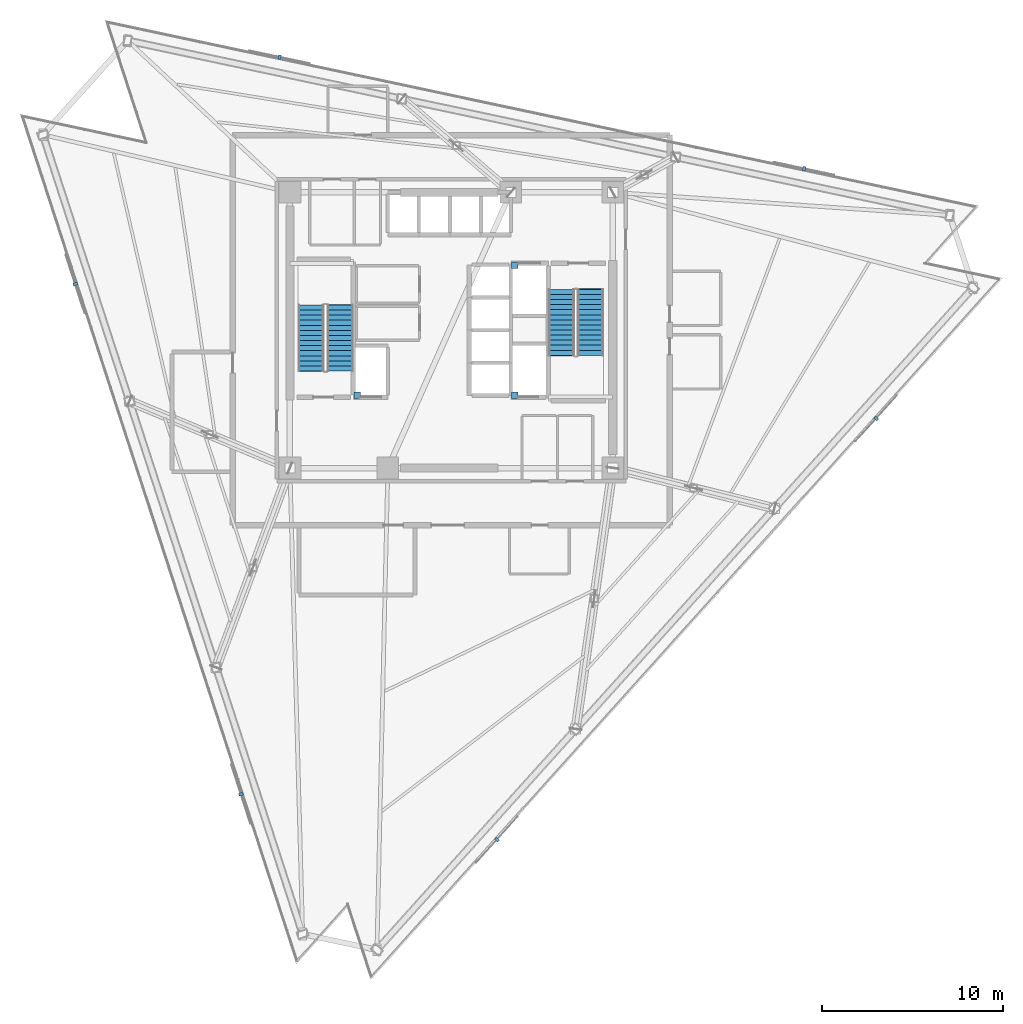
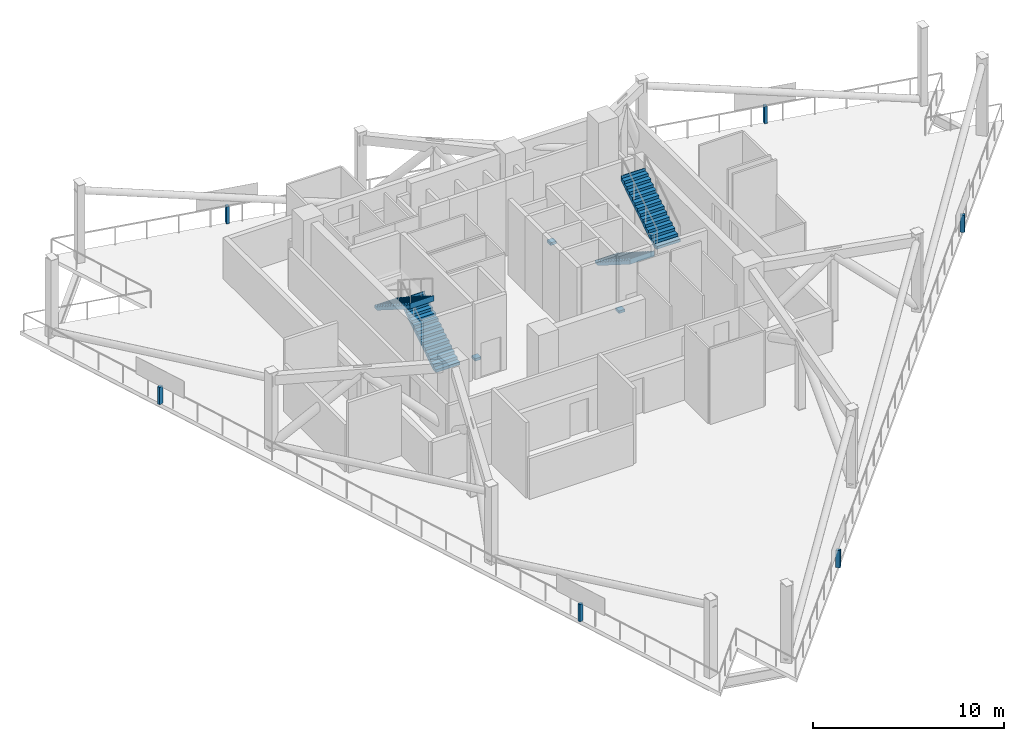
# One storey, part 9 of 15: 9 discrete accessories, 4 stair flights, 2 elements without a shape of their own.
"""IFC4 building model written with IfcOpenShell, lengths in metres."""

import ifcopenshell
import ifcopenshell.guid

model = None  # the IFC model being written
_history = None  # IfcOwnerHistory: only IFC2X3 demands one
_inside = {}  # id of a spatial element -> (the spatial element, [elements in it])
_under = {}  # id of a project, library or spatial element -> (it, [spatial elements below it])
_declared = {}  # id of a project -> (the project, [libraries it declares])
_typed = {}  # id of a type object -> (the type object, [elements of that type])
_made_of = {}  # id of a material, layer set ... -> (it, [elements and type objects made of it])


def new_model(schema):
    """Start an empty IFC model of exactly this schema.

    Asked for "IFC4X3", IfcOpenShell would pick the latest addendum, in which some entities
    have other attributes; the version numbers below select the first issue.
    IFC2X3 requires an IfcOwnerHistory on every rooted entity: one is made here for all.
    """
    global model, _history
    if schema == "IFC4X3":
        model = ifcopenshell.file(schema_version=(4, 3, 0, 0))
    else:
        model = ifcopenshell.file(schema=schema)
    _inside.clear()
    _under.clear()
    _declared.clear()
    _typed.clear()
    _made_of.clear()
    _history = None
    if model.schema == "IFC2X3":
        org = make("IfcOrganization", Name="unknown")
        user = make(
            "IfcPersonAndOrganization",
            ThePerson=make("IfcPerson", FamilyName="unknown"),
            TheOrganization=org,
        )
        app = make(
            "IfcApplication",
            ApplicationDeveloper=org,
            Version="unknown",
            ApplicationFullName="unknown",
            ApplicationIdentifier="unknown",
        )
        _history = make(
            "IfcOwnerHistory",
            OwningUser=user,
            OwningApplication=app,
            ChangeAction="ADDED",
            CreationDate=0,
        )
    return model


def make(cls, **values):
    """One entity of the class cls with the attributes given. An attribute that is None is left unset."""
    return model.create_entity(
        cls, **{name: value for name, value in values.items() if value is not None}
    )


def rooted(cls, **values):
    """An entity with a GlobalId (a new one), such as an element, a storey or a relation."""
    return make(cls, GlobalId=ifcopenshell.guid.new(), OwnerHistory=_history, **values)


def si_unit(unit_type, name, prefix=None):
    """IfcSIUnit, for example si_unit("LENGTHUNIT", "METRE", prefix="MILLI")."""
    return make("IfcSIUnit", UnitType=unit_type, Prefix=prefix, Name=name)


def assignment(units):
    """IfcUnitAssignment: the units of a project."""
    return None if units is None else make("IfcUnitAssignment", Units=units)


def point(xyz):
    """IfcCartesianPoint."""
    return None if xyz is None else make("IfcCartesianPoint", Coordinates=xyz)


def direction(xyz):
    """IfcDirection."""
    return None if xyz is None else make("IfcDirection", DirectionRatios=xyz)


def frame(location, z_axis=None, x_axis=None):
    """IfcAxis2Placement3D, a coordinate frame: its origin and axes. An axis left out is left unset."""
    return make(
        "IfcAxis2Placement3D",
        Location=point(location),
        Axis=direction(z_axis),
        RefDirection=direction(x_axis),
    )


def frame_2d(location, x_axis=None):
    """IfcAxis2Placement2D, a coordinate frame in the plane: its origin and x axis."""
    return make(
        "IfcAxis2Placement2D", Location=point(location), RefDirection=direction(x_axis)
    )


def origin():
    """The frame at (0, 0, 0) with its axes left unset."""
    return frame((0.0, 0.0, 0.0))


def origin_2d():
    """The frame at (0, 0) in the plane with its x axis left unset."""
    return frame_2d((0.0, 0.0))


def place(relative_to, where):
    """IfcLocalPlacement: puts the frame where relative to a parent placement (None: the world)."""
    return make(
        "IfcLocalPlacement", PlacementRelTo=relative_to, RelativePlacement=where
    )


def context(
    kind, dimensions, precision=None, world=None, true_north=None, identifier=None
):
    """IfcGeometricRepresentationContext, for example the 3D "Model" context."""
    return make(
        "IfcGeometricRepresentationContext",
        ContextIdentifier=identifier,
        ContextType=kind,
        CoordinateSpaceDimension=dimensions,
        Precision=precision,
        WorldCoordinateSystem=world,
        TrueNorth=true_north,
    )


def subcontext(parent, identifier, kind, view, scale=None):
    """IfcGeometricRepresentationSubContext, for example "Body" below "Model"."""
    return make(
        "IfcGeometricRepresentationSubContext",
        ContextIdentifier=identifier,
        ContextType=kind,
        ParentContext=parent,
        TargetScale=scale,
        TargetView=view,
    )


def project(units=None, contexts=None):
    """IfcProject with its units and contexts."""
    return rooted(
        "IfcProject",
        Name="project",
        RepresentationContexts=contexts,
        UnitsInContext=assignment(units),
    )


def spatial(cls, under=None, at=None, **own):
    """A site, building, storey or space (cls), placed at a placement, below another one or the project."""
    s = rooted(cls, ObjectPlacement=at, **own)
    if under is not None:
        _under.setdefault(under.id(), (under, []))[1].append(s)
    return s


def polyline(points):
    """IfcPolyline through the points."""
    return make("IfcPolyline", Points=[point(p) for p in points])


def profile(cls, at=None, kind="AREA", **sizes):
    """A parametric profile (cls). Its sizes go by their IFC names, for example OverallWidth=200.0."""
    return make(cls, ProfileType=kind, Position=at, **sizes)


def rectangle(**sizes):
    """IfcRectangleProfileDef."""
    return profile("IfcRectangleProfileDef", **sizes)


def outline(outer, holes=None, kind="AREA"):
    """IfcArbitraryClosedProfileDef: a profile drawn as a closed curve; with holes, ...WithVoids."""
    if holes is None:
        return make("IfcArbitraryClosedProfileDef", ProfileType=kind, OuterCurve=outer)
    return make(
        "IfcArbitraryProfileDefWithVoids",
        ProfileType=kind,
        OuterCurve=outer,
        InnerCurves=holes,
    )


def extrude(swept, where, along, depth):
    """IfcExtrudedAreaSolid: the profile swept, set in the frame where, extruded along a direction by depth."""
    return make(
        "IfcExtrudedAreaSolid",
        SweptArea=swept,
        Position=where,
        ExtrudedDirection=direction(along),
        Depth=depth,
    )


def shape(context_of_items, identifier, shape_type, items):
    """IfcShapeRepresentation: the items that make up one representation, for example the "Body"."""
    return make(
        "IfcShapeRepresentation",
        ContextOfItems=context_of_items,
        RepresentationIdentifier=identifier,
        RepresentationType=shape_type,
        Items=items,
    )


def material(Name=None, Category=None):
    """IfcMaterial."""
    return make("IfcMaterial", Name=Name, Category=Category)


def made_of(thing, what):
    """Note that an element or type object is made of a material, layer set ...; save() writes the relation."""
    if what is not None:
        _made_of.setdefault(what.id(), (what, []))[1].append(thing)
    return thing


def type_object(cls, material=None, **own):
    """A type object (cls), such as IfcWallType, which elements share."""
    return made_of(rooted(cls, **own), material)


def element(
    cls,
    number,
    at=None,
    inside=None,
    cuts=None,
    type_object=None,
    material=None,
    context=None,
    identifier="Body",
    shape_type=None,
    held_by="IfcProductDefinitionShape",
    body=None,
    shapes=None,
    **own,
):
    """One element of the class cls, such as IfcWall. Its Tag is "e" and its number.

    at: its placement. inside: the storey or other place that contains it. cuts: it is an
    opening in that element (IfcRelVoidsElement). A single representation is given by context,
    identifier, shape_type and body (its items); several are given by shapes. held_by: the class
    of the entity that holds the representations. save() writes the other relations.
    """
    e = rooted(cls, Tag="e%d" % number, ObjectPlacement=at, **own)
    if body is not None:
        shapes = [shape(context, identifier, shape_type, body)]
    if shapes is not None:
        e.Representation = make(held_by, Representations=shapes)
    if inside is not None:
        _inside.setdefault(inside.id(), (inside, []))[1].append(e)
    if cuts is not None:
        rooted(
            "IfcRelVoidsElement", RelatingBuildingElement=cuts, RelatedOpeningElement=e
        )
    if type_object is not None:
        _typed.setdefault(type_object.id(), (type_object, []))[1].append(e)
    return made_of(e, material)


def aggregate(whole, parts):
    """IfcRelAggregates: a whole, such as a stair, and the parts it consists of."""
    return rooted("IfcRelAggregates", RelatingObject=whole, RelatedObjects=parts)


def save(model, path):
    """Write the relations noted so far, then the file.

    IfcRelAggregates (storeys below a building ...), IfcRelContainedInSpatialStructure (elements
    in a storey), IfcRelDefinesByType, IfcRelAssociatesMaterial and IfcRelDeclares: one each for
    every whole, place, type object, material and project.
    """
    for whole, parts in _under.values():
        aggregate(whole, parts)
    for where, things in _inside.values():
        rooted(
            "IfcRelContainedInSpatialStructure",
            RelatedElements=things,
            RelatingStructure=where,
        )
    for kind, things in _typed.values():
        rooted("IfcRelDefinesByType", RelatedObjects=things, RelatingType=kind)
    for what, things in _made_of.values():
        rooted("IfcRelAssociatesMaterial", RelatedObjects=things, RelatingMaterial=what)
    for by, libraries in _declared.values():
        rooted("IfcRelDeclares", RelatingContext=by, RelatedDefinitions=libraries)
    model.write(path)


model = new_model("IFC4")

# Units and contexts
model_context = context("Model", 3, precision=1e-05, world=origin(), true_north=direction((0.0, 1.0)))
body_context = subcontext(model_context, "Body", "Model", "MODEL_VIEW")
ifc_project = project(units=[si_unit("LENGTHUNIT", "METRE"), si_unit("AREAUNIT", "SQUARE_METRE"), si_unit("VOLUMEUNIT", "CUBIC_METRE"), si_unit("PLANEANGLEUNIT", "RADIAN"), si_unit("MASSUNIT", "GRAM", prefix="KILO")], contexts=[model_context])

# Site, building, storey
site_placement = place(None, origin())
site = spatial("IfcSite", under=ifc_project, at=site_placement, CompositionType="ELEMENT")
building_placement = place(site_placement, origin())
building = spatial("IfcBuilding", under=site, at=building_placement, Name="Tharavind Bronze Gate", CompositionType="ELEMENT")
storey_placement = place(building_placement, frame((0.0, 0.0, 222.050048828125)))
storey = spatial("IfcBuildingStorey", under=building, at=storey_placement, Name="L57", CompositionType="ELEMENT", Elevation=222.050048828125)

# Stair, stair flights
ifc_material_1 = material(Name="Concrete C40/50", Category="concrete")
stair_type = type_object("IfcStairType", Name="CORE HALF TURN STAIR 1450", PredefinedType="HALF_TURN_STAIR", material=ifc_material_1)
stair_1_placement = place(storey_placement, origin())
stair_1 = element("IfcStair", 1, at=stair_1_placement, inside=storey, type_object=stair_type, Name="L57 Protected Exit Stair ST1", PredefinedType="HALF_TURN_STAIR")
stair_flight_type = type_object("IfcStairFlightType", Name="CORE STAIR FLIGHT 1450", PredefinedType="STRAIGHT", material=ifc_material_1)
stair_flight_1_placement = place(storey_placement, frame((-6.125, -2.25, 0.0), z_axis=(0.0, 0.0, 1.0), x_axis=(0.0, 1.0, 0.0)))
stair_flight_1 = element("IfcStairFlight", 2, at=stair_flight_1_placement, type_object=stair_flight_type, Name="ST1 flight 1", NumberOfRisers=14, NumberOfTreads=13, PredefinedType="STRAIGHT", RiserHeight=0.178571429, TreadLength=0.28, context=body_context, shape_type="SweptSolid", body=[
    extrude(outline(polyline([(0.0, 0.0), (0.0, 0.178466796875), (0.280029296875, 0.178466796875), (0.280029296875, 0.357177734375), (0.56005859375, 0.357177734375), (0.56005859375, 0.53564453125), (0.840087890625, 0.53564453125), (0.840087890625, 0.71435546875), (1.1201171875, 0.71435546875), (1.1201171875, 0.892822265625), (1.39990234375, 0.892822265625), (1.39990234375, 1.071533203125), (1.679931640625, 1.071533203125), (1.679931640625, 1.25), (1.9599609375, 1.25), (1.9599609375, 1.428466796875), (2.239990234375, 1.428466796875), (2.239990234375, 1.607177734375), (2.52001953125, 1.607177734375), (2.52001953125, 1.78564453125), (2.800048828125, 1.78564453125), (2.800048828125, 1.96435546875), (3.080078125, 1.96435546875), (3.080078125, 2.142822265625), (3.360107421875, 2.142822265625), (3.360107421875, 2.321533203125), (3.639892578125, 2.321533203125), (3.639892578125, 2.5), (3.676025390625, 2.5), (3.676025390625, 2.1435546875), (0.27880859375, 0.0), (0.0, 0.0)])), frame((0.0, 0.72509765625, 0.0), z_axis=(0.0, -1.0, 0.0), x_axis=(1.0, 0.0, 0.0)), (0.0, 0.0, 1.0), 1.449951171875),
])
stair_flight_2_placement = place(storey_placement, frame((-7.72509765625, 1.389892578125, 2.5), z_axis=(0.0, 0.0, 1.0), x_axis=(0.0, -1.0, 0.0)))
stair_flight_2 = element("IfcStairFlight", 3, at=stair_flight_2_placement, type_object=stair_flight_type, Name="ST1 flight 2", NumberOfRisers=14, NumberOfTreads=13, PredefinedType="STRAIGHT", RiserHeight=0.178571429, TreadLength=0.28, context=body_context, shape_type="SweptSolid", body=[
    extrude(outline(polyline([(0.0, 0.0), (0.0, 0.178466796875), (0.280029296875, 0.178466796875), (0.280029296875, 0.357177734375), (0.56005859375, 0.357177734375), (0.56005859375, 0.53564453125), (0.840087890625, 0.53564453125), (0.840087890625, 0.71435546875), (1.1201171875, 0.71435546875), (1.1201171875, 0.892822265625), (1.39990234375, 0.892822265625), (1.39990234375, 1.071533203125), (1.679931640625, 1.071533203125), (1.679931640625, 1.25), (1.9599609375, 1.25), (1.9599609375, 1.428466796875), (2.239990234375, 1.428466796875), (2.239990234375, 1.607177734375), (2.52001953125, 1.607177734375), (2.52001953125, 1.78564453125), (2.800048828125, 1.78564453125), (2.800048828125, 1.96435546875), (3.080078125, 1.96435546875), (3.080078125, 2.142822265625), (3.360107421875, 2.142822265625), (3.360107421875, 2.321533203125), (3.639892578125, 2.321533203125), (3.639892578125, 2.5), (3.676025390625, 2.5), (3.676025390625, 2.1435546875), (0.27880859375, 0.0), (0.0, 0.0)])), frame((0.0, 0.72509765625, 0.0), z_axis=(0.0, -1.0, 0.0), x_axis=(1.0, 0.0, 0.0)), (0.0, 0.0, 1.0), 1.449951171875),
])
aggregate(stair_1, [stair_flight_1, stair_flight_2])

stair_2_placement = place(storey_placement, origin())
stair_2 = element("IfcStair", 4, at=stair_2_placement, inside=storey, type_object=stair_type, Name="L57 Protected Exit Stair ST2", PredefinedType="HALF_TURN_STAIR")
stair_flight_3_placement = place(storey_placement, frame((6.074951171875, 2.25, 0.0), z_axis=(0.0, 0.0, 1.0), x_axis=(0.0, -1.0, 0.0)))
stair_flight_3 = element("IfcStairFlight", 5, at=stair_flight_3_placement, type_object=stair_flight_type, Name="ST2 flight 1", NumberOfRisers=14, NumberOfTreads=13, PredefinedType="STRAIGHT", RiserHeight=0.178571429, TreadLength=0.28, context=body_context, shape_type="SweptSolid", body=[
    extrude(outline(polyline([(0.0, 0.0), (0.0, 0.178466796875), (0.280029296875, 0.178466796875), (0.280029296875, 0.357177734375), (0.56005859375, 0.357177734375), (0.56005859375, 0.53564453125), (0.840087890625, 0.53564453125), (0.840087890625, 0.71435546875), (1.1201171875, 0.71435546875), (1.1201171875, 0.892822265625), (1.39990234375, 0.892822265625), (1.39990234375, 1.071533203125), (1.679931640625, 1.071533203125), (1.679931640625, 1.25), (1.9599609375, 1.25), (1.9599609375, 1.428466796875), (2.239990234375, 1.428466796875), (2.239990234375, 1.607177734375), (2.52001953125, 1.607177734375), (2.52001953125, 1.78564453125), (2.800048828125, 1.78564453125), (2.800048828125, 1.96435546875), (3.080078125, 1.96435546875), (3.080078125, 2.142822265625), (3.360107421875, 2.142822265625), (3.360107421875, 2.321533203125), (3.639892578125, 2.321533203125), (3.639892578125, 2.5), (3.676025390625, 2.5), (3.676025390625, 2.1435546875), (0.27880859375, 0.0), (0.0, 0.0)])), frame((0.0, 0.72509765625, 0.0), z_axis=(0.0, -1.0, 0.0), x_axis=(1.0, 0.0, 0.0)), (0.0, 0.0, 1.0), 1.449951171875),
])
stair_flight_4_placement = place(storey_placement, frame((7.675048828125, -1.389892578125, 2.5), z_axis=(0.0, 0.0, 1.0), x_axis=(0.0, 1.0, 0.0)))
stair_flight_4 = element("IfcStairFlight", 6, at=stair_flight_4_placement, type_object=stair_flight_type, Name="ST2 flight 2", NumberOfRisers=14, NumberOfTreads=13, PredefinedType="STRAIGHT", RiserHeight=0.178571429, TreadLength=0.28, context=body_context, shape_type="SweptSolid", body=[
    extrude(outline(polyline([(0.0, 0.0), (0.0, 0.178466796875), (0.280029296875, 0.178466796875), (0.280029296875, 0.357177734375), (0.56005859375, 0.357177734375), (0.56005859375, 0.53564453125), (0.840087890625, 0.53564453125), (0.840087890625, 0.71435546875), (1.1201171875, 0.71435546875), (1.1201171875, 0.892822265625), (1.39990234375, 0.892822265625), (1.39990234375, 1.071533203125), (1.679931640625, 1.071533203125), (1.679931640625, 1.25), (1.9599609375, 1.25), (1.9599609375, 1.428466796875), (2.239990234375, 1.428466796875), (2.239990234375, 1.607177734375), (2.52001953125, 1.607177734375), (2.52001953125, 1.78564453125), (2.800048828125, 1.78564453125), (2.800048828125, 1.96435546875), (3.080078125, 1.96435546875), (3.080078125, 2.142822265625), (3.360107421875, 2.142822265625), (3.360107421875, 2.321533203125), (3.639892578125, 2.321533203125), (3.639892578125, 2.5), (3.676025390625, 2.5), (3.676025390625, 2.1435546875), (0.27880859375, 0.0), (0.0, 0.0)])), frame((0.0, 0.72509765625, 0.0), z_axis=(0.0, -1.0, 0.0), x_axis=(1.0, 0.0, 0.0)), (0.0, 0.0, 1.0), 1.449951171875),
])
aggregate(stair_2, [stair_flight_3, stair_flight_4])

# Discrete accessories
ifc_material_2 = material(Name="Galvanised Steel S355", Category="steel")
discrete_accessory_type_1 = type_object("IfcDiscreteAccessoryType", Name="LIFT GUIDE RAIL BRACKET", PredefinedType="BRACKET", material=ifc_material_2)
for number, where, z_axis, x_axis, name in (
    (7, (-5.179931640625, -3.580078125, 1.1201171875), (0.0, 0.0, 1.0), (1.0, 0.0, 0.0), "Lift FFL1 guide rail bracket at L57"),
    (8, (3.5, 3.580078125, 1.1201171875), (0.0, 0.0, 1.0), (1.0, 0.0, 0.0), "Lift FFL2 guide rail bracket at L57"),
    (9, (3.5, -3.580078125, 1.1201171875), (0.0, 0.0, 1.0), (1.0, 0.0, 0.0), "Lift SVL1 guide rail bracket at L57"),
):
    element("IfcDiscreteAccessory", number, at=place(storey_placement, frame(where, z_axis=z_axis, x_axis=x_axis)), inside=storey, type_object=discrete_accessory_type_1, Name=name, PredefinedType="BRACKET", context=body_context, shape_type="SweptSolid", body=[
        extrude(rectangle(XDim=0.360107421875, YDim=0.360107421875, at=origin_2d()), origin(), (0.0, 0.0, 1.0), 0.159912109375),
    ])
ifc_material_3 = material(Name="Stainless Steel 316", Category="steel")
discrete_accessory_type_2 = type_object("IfcDiscreteAccessoryType", Name="SOLAR SCREEN STANDOFF BRACKET", PredefinedType="BRACKET", material=ifc_material_3)
for number, where, z_axis, x_axis, name in (
    (10, (-20.733154296875, 2.54052734375, 0.0), (0.0, 0.0, 1.0), (0.309016994375, -0.951056516295, 0.0), "L57 wind floor screen base stanchion 1.1"),
    (11, (-11.595947265625, -25.58056640625, 0.0), (0.0, 0.0, 1.0), (0.309016994375, -0.951056516295, 0.0), "L57 wind floor screen base stanchion 1.2"),
    (12, (2.514892578125, -28.085693359375, 0.0), (0.0, 0.0, 1.0), (0.669130606359, 0.743144825477, 0.0), "L57 wind floor screen base stanchion 2.1"),
    (13, (23.4208984375, -4.8671875, 0.0), (0.0, 0.0, 1.0), (0.669130606359, 0.743144825477, 0.0), "L57 wind floor screen base stanchion 2.2"),
    (14, (19.45458984375, 8.904541015625, 0.0), (0.0, 0.0, 1.0), (-0.978147600734, 0.207911690818, 0.0), "L57 wind floor screen base stanchion 3.1"),
    (15, (-9.467529296875, 15.05224609375, 0.0), (0.0, 0.0, 1.0), (-0.978147600734, 0.207911690818, 0.0), "L57 wind floor screen base stanchion 3.2"),
):
    element("IfcDiscreteAccessory", number, at=place(storey_placement, frame(where, z_axis=z_axis, x_axis=x_axis)), inside=storey, type_object=discrete_accessory_type_2, Name=name, PredefinedType="BRACKET", context=body_context, shape_type="SweptSolid", body=[
        extrude(rectangle(XDim=0.159912109375, YDim=0.239990234375, at=origin_2d()), origin(), (0.0, 0.0, 1.0), 1.10009765625),
    ])

save(model, "model.ifc")
